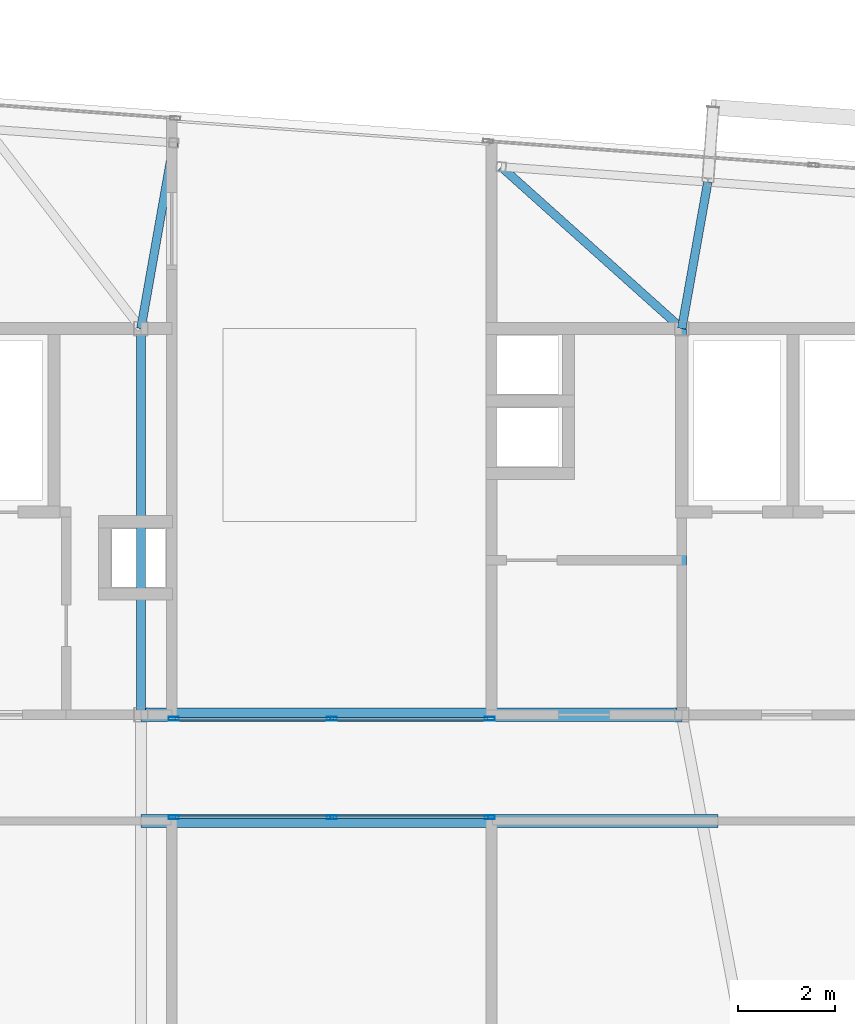
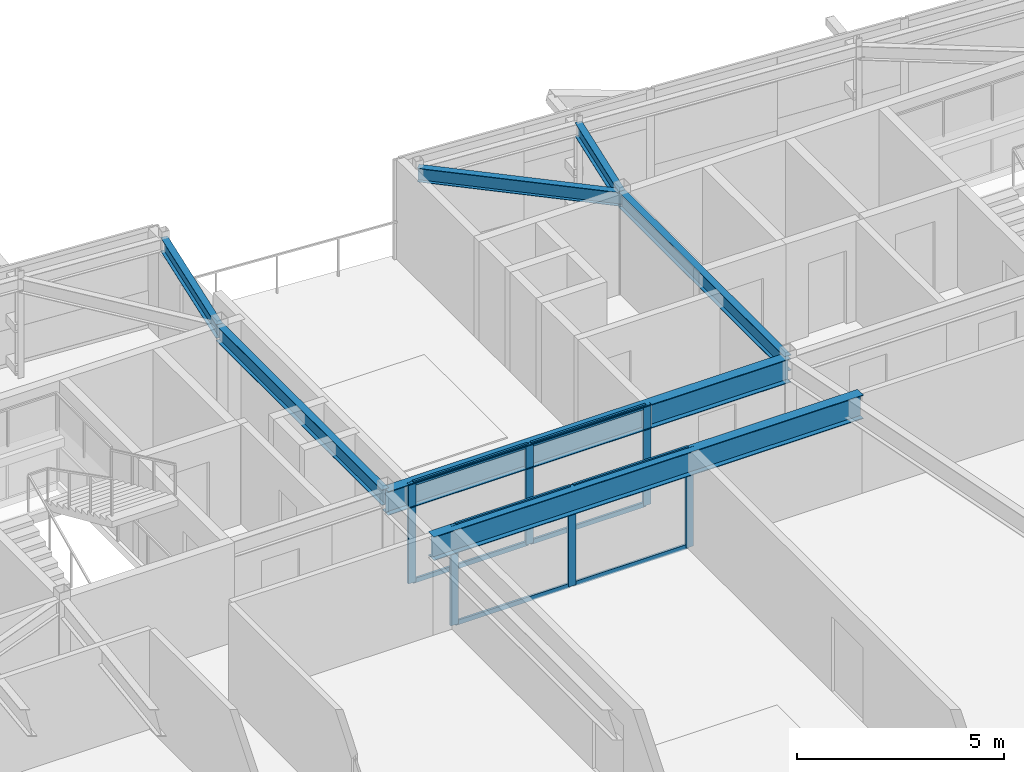
# One storey, part 15 of 36: 14 members, 7 beams, 2 elements without a shape of their own.
"""IFC4 building model written with IfcOpenShell, lengths in metres."""

from ifc_helpers import new_model, si_unit, direction, frame, origin, origin_2d, place, context, subcontext, project, spatial, hollow_rectangle, i_section, extrude, source, transform, mapped, material, layer, layer_set, material_profile, profile_set, type_object, element, aggregate, save


model = new_model("IFC4")

# Units and contexts
model_context = context("Model", 3, precision=1e-05, world=origin(), true_north=direction((0.0, 1.0)))
body_context = subcontext(model_context, "Body", "Model", "MODEL_VIEW")
ifc_project = project(units=[si_unit("LENGTHUNIT", "METRE"), si_unit("AREAUNIT", "SQUARE_METRE"), si_unit("VOLUMEUNIT", "CUBIC_METRE"), si_unit("PLANEANGLEUNIT", "RADIAN"), si_unit("MASSUNIT", "GRAM", prefix="KILO")], contexts=[model_context])

# Site, building, storey
site_placement = place(None, origin())
site = spatial("IfcSite", under=ifc_project, at=site_placement, CompositionType="ELEMENT")
building_placement = place(site_placement, origin())
building = spatial("IfcBuilding", under=site, at=building_placement, Name="Taldren Reach Tower", CompositionType="ELEMENT")
storey_placement = place(building_placement, frame((0.0, 0.0, 227.14990234375)))
storey = spatial("IfcBuildingStorey", under=building, at=storey_placement, Name="L69", CompositionType="ELEMENT", Elevation=227.14990234375)

# Beams
ifc_material_1 = material(Name="Steel Gr 350 (350PLUS)", Category="steel")
ifc_material_profile_1 = material_profile(ifc_material_1, i_section(OverallWidth=0.19091796875, OverallDepth=0.4599609375, WebThickness=0.010009765625, FlangeThickness=0.01611328125, at=origin_2d()), Name="460UB82.1")
ifc_profile_set_1 = profile_set([ifc_material_profile_1], Name="Steel Gr 350 (350PLUS)")
beam_type_1 = type_object("IfcBeamType", Name="BM-UB460A", PredefinedType="BEAM", material=ifc_profile_set_1)
shared_shape_1 = source(origin(), body_context, "Body", "SweptSolid", [
    extrude(i_section(OverallWidth=0.19091796875, OverallDepth=0.4599609375, WebThickness=0.010009765625, FlangeThickness=0.01611328125, at=origin_2d()), origin(), (0.0, 0.0, 1.0), 8.0),
])
for number, where, z_axis, x_axis, name in (
    (1, (28.0, 24.0, 2.7001953125), (0.0, 1.0, 0.0), (-1.0, 0.0, 0.0), "Core-spine girder L69-SP07"),
    (2, (39.199951171875, 24.0, 2.7001953125), (0.0, 1.0, 0.0), (-1.0, 0.0, 0.0), "Core-spine girder L69-SP08"),
):
    element("IfcBeam", number, at=place(storey_placement, frame(where, z_axis=z_axis, x_axis=x_axis)), inside=storey, type_object=beam_type_1, Name=name, PredefinedType="BEAM", context=body_context, shape_type="MappedRepresentation", body=[
        mapped(shared_shape_1, transform((0.0, 0.0, 0.0), scale=1.0)),
    ])
ifc_material_profile_2 = material_profile(ifc_material_1, i_section(OverallWidth=0.177978515625, OverallDepth=0.406005859375, WebThickness=0.0078125, FlangeThickness=0.0126953125, at=origin_2d()), Name="410UB59.7")
ifc_profile_set_2 = profile_set([ifc_material_profile_2], Name="Steel Gr 350 (350PLUS)")
beam_type_2 = type_object("IfcBeamType", Name="BM-UB410", PredefinedType="BEAM", material=ifc_profile_set_2)
shared_shape_2 = source(origin(), body_context, "Body", "SweptSolid", [
    extrude(i_section(OverallWidth=0.177978515625, OverallDepth=0.406005859375, WebThickness=0.0078125, FlangeThickness=0.0126953125, at=origin_2d()), origin(), (0.0, 0.0, 1.0), 3.0830078125),
])
beam_1_placement = place(storey_placement, frame((39.199951171875, 32.0, 2.72705078125), z_axis=(0.17500945263, 0.984566753191, 0.0), x_axis=(-0.984566753191, 0.17500945263, 0.0)))
element("IfcBeam", 3, at=beam_1_placement, inside=storey, type_object=beam_type_2, Name="Primary floor girder B5-N4 L69", PredefinedType="BEAM", context=body_context, shape_type="MappedRepresentation", body=[
    mapped(shared_shape_2, transform((0.0, 0.0, 0.0), scale=1.0)),
])
shared_shape_3 = source(origin(), body_context, "Body", "SweptSolid", [
    extrude(i_section(OverallWidth=0.177978515625, OverallDepth=0.406005859375, WebThickness=0.0078125, FlangeThickness=0.0126953125, at=origin_2d()), origin(), (0.0, 0.0, 1.0), 5.02001953125),
])
beam_2_placement = place(storey_placement, frame((39.199951171875, 32.0, 2.72705078125), z_axis=(-0.744827782377, 0.667256753132, 0.0), x_axis=(-0.667256753132, -0.744827782377, 0.0)))
element("IfcBeam", 4, at=beam_2_placement, inside=storey, type_object=beam_type_2, Name="Primary floor girder B5-PJN2 L69", PredefinedType="BEAM", context=body_context, shape_type="MappedRepresentation", body=[
    mapped(shared_shape_3, transform((0.0, 0.0, 0.0), scale=1.0)),
])
shared_shape_4 = source(origin(), body_context, "Body", "SweptSolid", [
    extrude(i_section(OverallWidth=0.177978515625, OverallDepth=0.406005859375, WebThickness=0.0078125, FlangeThickness=0.0126953125, at=origin_2d()), origin(), (0.0, 0.0, 1.0), 3.9072265625),
])
beam_3_placement = place(storey_placement, frame((28.0, 32.0, 2.72705078125), z_axis=(0.173835238379, 0.984774750843, 0.0), x_axis=(-0.984774750843, 0.173835238379, 0.0)))
element("IfcBeam", 5, at=beam_3_placement, inside=storey, type_object=beam_type_2, Name="Primary floor girder B5-PJN1 L69", PredefinedType="BEAM", context=body_context, shape_type="MappedRepresentation", body=[
    mapped(shared_shape_4, transform((0.0, 0.0, 0.0), scale=1.0)),
])
ifc_material_profile_3 = material_profile(ifc_material_1, i_section(OverallWidth=0.27490234375, OverallDepth=0.699951171875, WebThickness=0.010009765625, FlangeThickness=0.02001953125, at=origin_2d()), Name="700WB150")
ifc_profile_set_3 = profile_set([ifc_material_profile_3], Name="Steel Gr 350 (350PLUS)")
beam_type_3 = type_object("IfcBeamType", Name="BM-WB700", PredefinedType="BEAM", material=ifc_profile_set_3)
shared_shape_5 = source(origin(), body_context, "Body", "SweptSolid", [
    extrude(i_section(OverallWidth=0.27490234375, OverallDepth=0.699951171875, WebThickness=0.010009765625, FlangeThickness=0.02001953125, at=origin_2d()), origin(), (0.0, 0.0, 1.0), 11.199951171875),
])
beam_4_placement = place(storey_placement, frame((28.0, 24.0, 2.580078125), z_axis=(1.0, 0.0, 0.0), x_axis=(0.0, 1.0, 0.0)))
element("IfcBeam", 6, at=beam_4_placement, inside=storey, type_object=beam_type_3, Name="Core-spine girder L69-SP02", PredefinedType="BEAM", context=body_context, shape_type="MappedRepresentation", body=[
    mapped(shared_shape_5, transform((0.0, 0.0, 0.0), scale=1.0)),
])
shared_shape_6 = source(origin(), body_context, "Body", "SweptSolid", [
    extrude(i_section(OverallWidth=0.27490234375, OverallDepth=0.699951171875, WebThickness=0.010009765625, FlangeThickness=0.02001953125, at=origin_2d()), origin(), (0.0, 0.0, 1.0), 11.949951171875),
])
beam_5_placement = place(storey_placement, frame((28.0, 21.800048828125, 2.580078125), z_axis=(1.0, 0.0, 0.0), x_axis=(0.0, 1.0, 0.0)))
element("IfcBeam", 7, at=beam_5_placement, inside=storey, type_object=beam_type_3, Name="Wind portal sky-bridge south girder L69", PredefinedType="BEAM", context=body_context, shape_type="MappedRepresentation", body=[
    mapped(shared_shape_6, transform((0.0, 0.0, 0.0), scale=1.0)),
])

# Curtain wall, members
ifc_material_2 = material(Name="Aluminium and Low-E Glass Unitised System", Category="aluminium")
ifc_layer = layer(ifc_material_2, 0.159912109375)
ifc_layer_set = layer_set([ifc_layer], Name="Aluminium and Low-E Glass Unitised System")
curtain_wall_type = type_object("IfcCurtainWallType", Name="CW-SYS-7", PredefinedType="NOTDEFINED", material=ifc_layer_set)
curtain_wall_1_placement = place(storey_placement, origin())
curtain_wall_1 = element("IfcCurtainWall", 8, at=curtain_wall_1_placement, inside=storey, type_object=curtain_wall_type, Name="Unitised curtain wall CW7-L69-BRS", PredefinedType="NOTDEFINED")
ifc_material_3 = material(Name="Anodised Aluminium 6063-T6", Category="aluminium")
ifc_material_profile_4 = material_profile(ifc_material_3, hollow_rectangle(XDim=0.074951171875, YDim=0.2099609375, WallThickness=0.00439453125, at=origin_2d()), Name="ALU-210x75x4.5RHS")
ifc_profile_set_4 = profile_set([ifc_material_profile_4], Name="Anodised Aluminium 6063-T6")
member_type_1 = type_object("IfcMemberType", Name="CW-MUL-200", PredefinedType="MULLION", material=ifc_profile_set_4)
shared_shape_7 = source(origin(), body_context, "Body", "SweptSolid", [
    extrude(hollow_rectangle(XDim=0.074951171875, YDim=0.2099609375, WallThickness=0.00439453125, at=origin_2d()), origin(), (0.0, 0.0, 1.0), 2.93017578125),
])
member_1_placement = place(storey_placement, frame((28.677490234375, 21.8798828125, 0.0), z_axis=(0.0, 0.0, 1.0), x_axis=(0.0, 1.0, 0.0)))
member_1 = element("IfcMember", 9, at=member_1_placement, type_object=member_type_1, Name="CW-7 mullion 1", PredefinedType="MULLION", context=body_context, shape_type="MappedRepresentation", body=[
    mapped(shared_shape_7, transform((0.0, 0.0, 0.0), scale=1.0)),
])
member_2_placement = place(storey_placement, frame((31.949951171875, 21.8798828125, 0.0), z_axis=(0.0, 0.0, 1.0), x_axis=(0.0, 1.0, 0.0)))
member_2 = element("IfcMember", 10, at=member_2_placement, type_object=member_type_1, Name="CW-7 mullion 2", PredefinedType="MULLION", context=body_context, shape_type="MappedRepresentation", body=[
    mapped(shared_shape_7, transform((0.0, 0.0, 0.0), scale=1.0)),
])
member_3_placement = place(storey_placement, frame((35.222412109375, 21.8798828125, 0.0), z_axis=(0.0, 0.0, 1.0), x_axis=(0.0, 1.0, 0.0)))
member_3 = element("IfcMember", 11, at=member_3_placement, type_object=member_type_1, Name="CW-7 mullion 3", PredefinedType="MULLION", context=body_context, shape_type="MappedRepresentation", body=[
    mapped(shared_shape_7, transform((0.0, 0.0, 0.0), scale=1.0)),
])

curtain_wall_2_placement = place(storey_placement, origin())
curtain_wall_2 = element("IfcCurtainWall", 12, at=curtain_wall_2_placement, inside=storey, type_object=curtain_wall_type, Name="Unitised curtain wall CW7-L69-BRN", PredefinedType="NOTDEFINED")
member_4_placement = place(storey_placement, frame((35.222412109375, 23.919921875, 0.0), z_axis=(0.0, 0.0, 1.0), x_axis=(0.0, -1.0, 0.0)))
member_4 = element("IfcMember", 13, at=member_4_placement, type_object=member_type_1, Name="CW-7 mullion 1", PredefinedType="MULLION", context=body_context, shape_type="MappedRepresentation", body=[
    mapped(shared_shape_7, transform((0.0, 0.0, 0.0), scale=1.0)),
])
member_5_placement = place(storey_placement, frame((31.949951171875, 23.919921875, 0.0), z_axis=(0.0, 0.0, 1.0), x_axis=(0.0, -1.0, 0.0)))
member_5 = element("IfcMember", 14, at=member_5_placement, type_object=member_type_1, Name="CW-7 mullion 2", PredefinedType="MULLION", context=body_context, shape_type="MappedRepresentation", body=[
    mapped(shared_shape_7, transform((0.0, 0.0, 0.0), scale=1.0)),
])
member_6_placement = place(storey_placement, frame((28.677490234375, 23.919921875, 0.0), z_axis=(0.0, 0.0, 1.0), x_axis=(0.0, -1.0, 0.0)))
member_6 = element("IfcMember", 15, at=member_6_placement, type_object=member_type_1, Name="CW-7 mullion 3", PredefinedType="MULLION", context=body_context, shape_type="MappedRepresentation", body=[
    mapped(shared_shape_7, transform((0.0, 0.0, 0.0), scale=1.0)),
])

# Member
ifc_material_profile_5 = material_profile(ifc_material_3, hollow_rectangle(XDim=0.06005859375, YDim=0.135009765625, WallThickness=0.00341796875, at=origin_2d()), Name="ALU-135x60x3.5RHS")
ifc_profile_set_5 = profile_set([ifc_material_profile_5], Name="Anodised Aluminium 6063-T6")
member_type_2 = type_object("IfcMemberType", Name="CW-TRN-150", PredefinedType="USERDEFINED", material=ifc_profile_set_5)
shared_shape_8 = source(origin(), body_context, "Body", "SweptSolid", [
    extrude(hollow_rectangle(XDim=0.06005859375, YDim=0.135009765625, WallThickness=0.00341796875, at=origin_2d()), origin(), (0.0, 0.0, 1.0), 3.197509765625),
])
member_7_placement = place(storey_placement, frame((28.715087890625, 21.8798828125, 0.030029296875), z_axis=(1.0, 0.0, 0.0), x_axis=(0.0, 1.0, 0.0)))
member_7 = element("IfcMember", 16, at=member_7_placement, type_object=member_type_2, Name="CW-7 transom 1.1", ObjectType="TRANSOM", PredefinedType="USERDEFINED", context=body_context, shape_type="MappedRepresentation", body=[
    mapped(shared_shape_8, transform((0.0, 0.0, 0.0), scale=1.0)),
])

member_8_placement = place(storey_placement, frame((28.715087890625, 21.8798828125, 2.900146484375), z_axis=(1.0, 0.0, 0.0), x_axis=(0.0, 1.0, 0.0)))
member_8 = element("IfcMember", 17, at=member_8_placement, type_object=member_type_2, Name="CW-7 transom 1.2", ObjectType="TRANSOM", PredefinedType="USERDEFINED", context=body_context, shape_type="MappedRepresentation", body=[
    mapped(shared_shape_8, transform((0.0, 0.0, 0.0), scale=1.0)),
])

member_9_placement = place(storey_placement, frame((31.987548828125, 21.8798828125, 0.030029296875), z_axis=(1.0, 0.0, 0.0), x_axis=(0.0, 1.0, 0.0)))
member_9 = element("IfcMember", 18, at=member_9_placement, type_object=member_type_2, Name="CW-7 transom 2.1", ObjectType="TRANSOM", PredefinedType="USERDEFINED", context=body_context, shape_type="MappedRepresentation", body=[
    mapped(shared_shape_8, transform((0.0, 0.0, 0.0), scale=1.0)),
])

member_10_placement = place(storey_placement, frame((31.987548828125, 21.8798828125, 2.900146484375), z_axis=(1.0, 0.0, 0.0), x_axis=(0.0, 1.0, 0.0)))
member_10 = element("IfcMember", 19, at=member_10_placement, type_object=member_type_2, Name="CW-7 transom 2.2", ObjectType="TRANSOM", PredefinedType="USERDEFINED", context=body_context, shape_type="MappedRepresentation", body=[
    mapped(shared_shape_8, transform((0.0, 0.0, 0.0), scale=1.0)),
])

aggregate(curtain_wall_1, [member_1, member_2, member_3, member_7, member_8, member_9, member_10])

member_11_placement = place(storey_placement, frame((35.18505859375, 23.919921875, 0.030029296875), z_axis=(-1.0, 0.0, 0.0), x_axis=(0.0, -1.0, 0.0)))
member_11 = element("IfcMember", 20, at=member_11_placement, type_object=member_type_2, Name="CW-7 transom 1.1", ObjectType="TRANSOM", PredefinedType="USERDEFINED", context=body_context, shape_type="MappedRepresentation", body=[
    mapped(shared_shape_8, transform((0.0, 0.0, 0.0), scale=1.0)),
])

member_12_placement = place(storey_placement, frame((35.18505859375, 23.919921875, 2.900146484375), z_axis=(-1.0, 0.0, 0.0), x_axis=(0.0, -1.0, 0.0)))
member_12 = element("IfcMember", 21, at=member_12_placement, type_object=member_type_2, Name="CW-7 transom 1.2", ObjectType="TRANSOM", PredefinedType="USERDEFINED", context=body_context, shape_type="MappedRepresentation", body=[
    mapped(shared_shape_8, transform((0.0, 0.0, 0.0), scale=1.0)),
])

member_13_placement = place(storey_placement, frame((31.91259765625, 23.919921875, 0.030029296875), z_axis=(-1.0, 0.0, 0.0), x_axis=(0.0, -1.0, 0.0)))
member_13 = element("IfcMember", 22, at=member_13_placement, type_object=member_type_2, Name="CW-7 transom 2.1", ObjectType="TRANSOM", PredefinedType="USERDEFINED", context=body_context, shape_type="MappedRepresentation", body=[
    mapped(shared_shape_8, transform((0.0, 0.0, 0.0), scale=1.0)),
])

member_14_placement = place(storey_placement, frame((31.91259765625, 23.919921875, 2.900146484375), z_axis=(-1.0, 0.0, 0.0), x_axis=(0.0, -1.0, 0.0)))
member_14 = element("IfcMember", 23, at=member_14_placement, type_object=member_type_2, Name="CW-7 transom 2.2", ObjectType="TRANSOM", PredefinedType="USERDEFINED", context=body_context, shape_type="MappedRepresentation", body=[
    mapped(shared_shape_8, transform((0.0, 0.0, 0.0), scale=1.0)),
])

aggregate(curtain_wall_2, [member_4, member_5, member_6, member_11, member_12, member_13, member_14])

save(model, "model.ifc")
